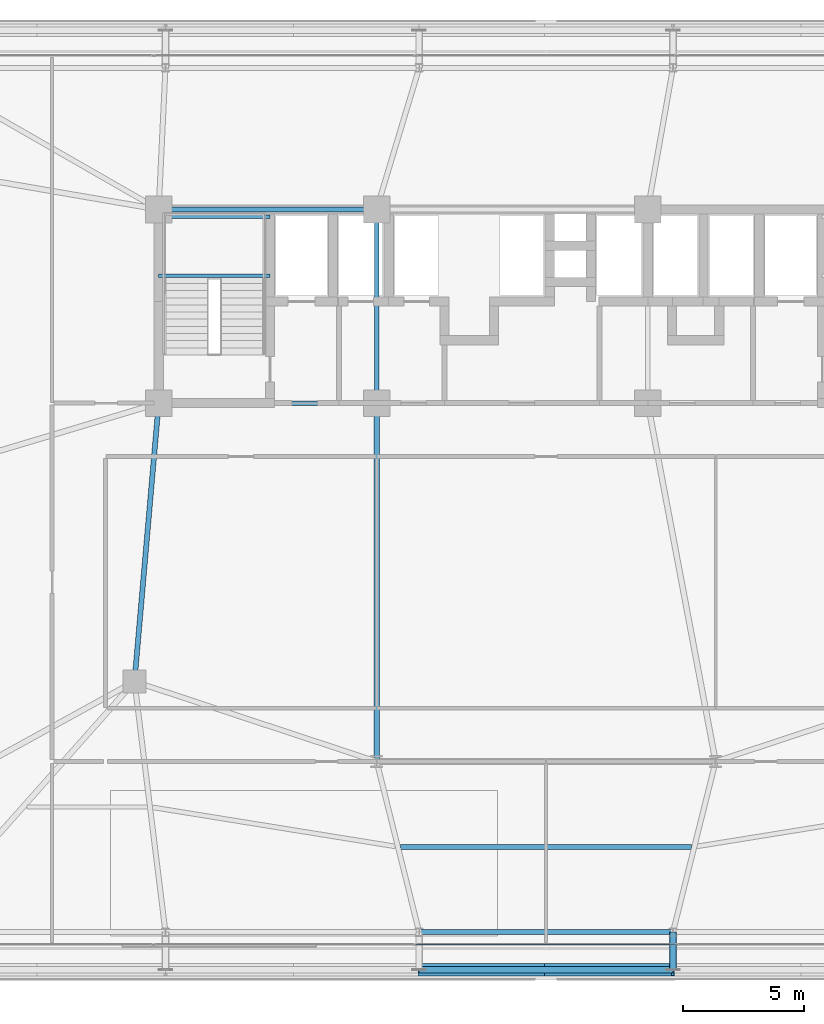
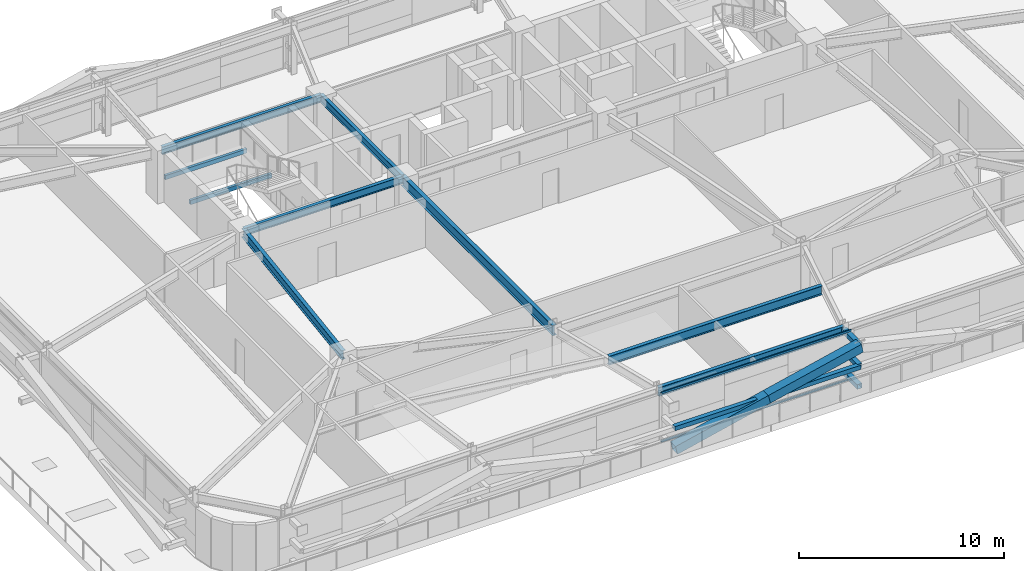
# One storey, part 18 of 56: 9 beams, 8 members, 1 element without a shape of its own.
"""IFC4 building model written with IfcOpenShell, lengths in metres."""

from ifc_helpers import new_model, si_unit, direction, frame, origin, origin_2d, place, context, subcontext, project, spatial, hollow_rectangle, i_section, extrude, source, transform, mapped, material, layer, layer_set, material_profile, profile_set, type_object, element, aggregate, save


model = new_model("IFC4")

# Units and contexts
model_context = context("Model", 3, precision=1e-05, world=origin(), true_north=direction((0.0, 1.0)))
body_context = subcontext(model_context, "Body", "Model", "MODEL_VIEW")
ifc_project = project(units=[si_unit("LENGTHUNIT", "METRE"), si_unit("AREAUNIT", "SQUARE_METRE"), si_unit("VOLUMEUNIT", "CUBIC_METRE"), si_unit("PLANEANGLEUNIT", "RADIAN"), si_unit("MASSUNIT", "GRAM", prefix="KILO")], contexts=[model_context])

# Site, building, storey
site_placement = place(None, origin())
site = spatial("IfcSite", under=ifc_project, at=site_placement, CompositionType="ELEMENT")
building_placement = place(site_placement, origin())
building = spatial("IfcBuilding", under=site, at=building_placement, Name="Taldren Reach Tower", CompositionType="ELEMENT")
storey_placement = place(building_placement, frame((0.0, 0.0, 16.800048828125)))
storey = spatial("IfcBuildingStorey", under=building, at=storey_placement, Name="L04", CompositionType="ELEMENT", Elevation=16.800048828125)

# Beams
ifc_material_1 = material(Name="Steel Gr 350 (350PLUS)", Category="steel")
ifc_material_profile_1 = material_profile(ifc_material_1, i_section(OverallWidth=0.19091796875, OverallDepth=0.4599609375, WebThickness=0.010009765625, FlangeThickness=0.01611328125, at=origin_2d()), Name="460UB82.1")
ifc_profile_set_1 = profile_set([ifc_material_profile_1], Name="Steel Gr 350 (350PLUS)")
beam_type_1 = type_object("IfcBeamType", Name="BM-UB460A", PredefinedType="BEAM", material=ifc_profile_set_1)
shared_shape_1 = source(origin(), body_context, "Body", "SweptSolid", [
    extrude(i_section(OverallWidth=0.19091796875, OverallDepth=0.4599609375, WebThickness=0.010009765625, FlangeThickness=0.01611328125, at=origin_2d()), origin(), (0.0, 0.0, 1.0), 9.0),
])
for number, where, z_axis, x_axis, name in (
    (1, (19.0, 24.0, 2.699951171875), (1.0, 0.0, 0.0), (0.0, 1.0, 0.0), "Core-spine girder L04-SP01"),
    (2, (19.0, 32.0, 2.699951171875), (1.0, 0.0, 0.0), (0.0, 1.0, 0.0), "Core-spine girder L04-SP04"),
):
    element("IfcBeam", number, at=place(storey_placement, frame(where, z_axis=z_axis, x_axis=x_axis)), inside=storey, type_object=beam_type_1, Name=name, PredefinedType="BEAM", context=body_context, shape_type="MappedRepresentation", body=[
        mapped(shared_shape_1, transform((0.0, 0.0, 0.0), scale=1.0)),
    ])
shared_shape_2 = source(origin(), body_context, "Body", "SweptSolid", [
    extrude(i_section(OverallWidth=0.19091796875, OverallDepth=0.4599609375, WebThickness=0.010009765625, FlangeThickness=0.01611328125, at=origin_2d()), origin(), (0.0, 0.0, 1.0), 8.0),
])
beam_1_placement = place(storey_placement, frame((28.0, 24.0, 2.699951171875), z_axis=(0.0, 1.0, 0.0), x_axis=(-1.0, 0.0, 0.0)))
element("IfcBeam", 3, at=beam_1_placement, inside=storey, type_object=beam_type_1, Name="Core-spine girder L04-SP07", PredefinedType="BEAM", context=body_context, shape_type="MappedRepresentation", body=[
    mapped(shared_shape_2, transform((0.0, 0.0, 0.0), scale=1.0)),
])
ifc_material_profile_2 = material_profile(ifc_material_1, i_section(OverallWidth=0.208984375, OverallDepth=0.532958984375, WebThickness=0.01025390625, FlangeThickness=0.015625, at=origin_2d()), Name="530UB92.4")
ifc_profile_set_2 = profile_set([ifc_material_profile_2], Name="Steel Gr 350 (350PLUS)")
beam_type_2 = type_object("IfcBeamType", Name="BM-UB530A", PredefinedType="BEAM", material=ifc_profile_set_2)
shared_shape_3 = source(origin(), body_context, "Body", "SweptSolid", [
    extrude(i_section(OverallWidth=0.208984375, OverallDepth=0.532958984375, WebThickness=0.01025390625, FlangeThickness=0.015625, at=origin_2d()), origin(), (0.0, 0.0, 1.0), 11.54345703125),
])
beam_2_placement = place(storey_placement, frame((19.0, 24.0, 2.663330078125), z_axis=(-0.086629616365, -0.996240588196, 0.0), x_axis=(0.996240588196, -0.086629616365, 0.0)))
element("IfcBeam", 4, at=beam_2_placement, inside=storey, type_object=beam_type_2, Name="Core-spine girder L04-SP09", PredefinedType="BEAM", context=body_context, shape_type="MappedRepresentation", body=[
    mapped(shared_shape_3, transform((0.0, 0.0, 0.0), scale=1.0)),
])
ifc_material_profile_3 = material_profile(ifc_material_1, i_section(OverallWidth=0.22802734375, OverallDepth=0.60205078125, WebThickness=0.010498046875, FlangeThickness=0.014892578125, at=origin_2d()), Name="610UB101")
ifc_profile_set_3 = profile_set([ifc_material_profile_3], Name="Steel Gr 350 (350PLUS)")
beam_type_3 = type_object("IfcBeamType", Name="BM-UB610B", PredefinedType="BEAM", material=ifc_profile_set_3)
shared_shape_4 = source(origin(), body_context, "Body", "SweptSolid", [
    extrude(i_section(OverallWidth=0.22802734375, OverallDepth=0.60205078125, WebThickness=0.010498046875, FlangeThickness=0.014892578125, at=origin_2d()), origin(), (0.0, 0.0, 1.0), 14.800048828125),
])
beam_3_placement = place(storey_placement, frame((28.0, 24.0, 2.62890625), z_axis=(0.0, -1.0, 0.0), x_axis=(1.0, 0.0, 0.0)))
element("IfcBeam", 5, at=beam_3_placement, inside=storey, type_object=beam_type_3, Name="Core-spine girder L04-SP14", PredefinedType="BEAM", context=body_context, shape_type="MappedRepresentation", body=[
    mapped(shared_shape_4, transform((0.0, 0.0, 0.0), scale=1.0)),
])
ifc_material_profile_4 = material_profile(ifc_material_1, i_section(OverallWidth=0.208984375, OverallDepth=0.528076171875, WebThickness=0.009521484375, FlangeThickness=0.01318359375, at=origin_2d()), Name="530UB82.0")
ifc_profile_set_4 = profile_set([ifc_material_profile_4], Name="Steel Gr 350 (350PLUS)")
beam_type_4 = type_object("IfcBeamType", Name="SP-UB530B", PredefinedType="SPANDREL", material=ifc_profile_set_4)
shared_shape_5 = source(origin(), body_context, "Body", "SweptSolid", [
    extrude(i_section(OverallWidth=0.208984375, OverallDepth=0.528076171875, WebThickness=0.009521484375, FlangeThickness=0.01318359375, at=origin_2d()), origin(), (0.0, 0.0, 1.0), 10.47998046875),
])
beam_4_placement = place(storey_placement, frame((29.760009765625, 2.14990234375, 2.666015625), z_axis=(1.0, 0.0, 0.0), x_axis=(0.0, 1.0, 0.0)))
element("IfcBeam", 6, at=beam_4_placement, inside=storey, type_object=beam_type_4, Name="Perimeter spandrel B1 S3-S4 L04", PredefinedType="SPANDREL", context=body_context, shape_type="MappedRepresentation", body=[
    mapped(shared_shape_5, transform((0.0, 0.0, 0.0), scale=1.0)),
])
shared_shape_6 = source(origin(), body_context, "Body", "SweptSolid", [
    extrude(i_section(OverallWidth=0.208984375, OverallDepth=0.532958984375, WebThickness=0.01025390625, FlangeThickness=0.015625, at=origin_2d()), origin(), (0.0, 0.0, 1.0), 12.0244140625),
])
beam_5_placement = place(storey_placement, frame((28.98779296875, 5.675048828125, 2.663330078125), z_axis=(1.0, 0.0, 0.0), x_axis=(0.0, 1.0, 0.0)))
element("IfcBeam", 7, at=beam_5_placement, inside=storey, type_object=beam_type_2, Name="Secondary floor beam B1 J3 L04", PredefinedType="BEAM", context=body_context, shape_type="MappedRepresentation", body=[
    mapped(shared_shape_6, transform((0.0, 0.0, 0.0), scale=1.0)),
])

# Members
ifc_material_2 = material(Name="Steel Gr 450 (C450L0)", Category="steel")
ifc_material_profile_5 = material_profile(ifc_material_2, hollow_rectangle(XDim=0.27490234375, YDim=0.27490234375, WallThickness=0.00927734375, at=origin_2d()), Name="275x275x9.3SHS")
ifc_profile_set_5 = profile_set([ifc_material_profile_5], Name="Steel Gr 450 (C450L0)")
member_type_1 = type_object("IfcMemberType", Name="MB-TIE273", PredefinedType="STRUT", material=ifc_profile_set_5)
shared_shape_7 = source(origin(), body_context, "Body", "SweptSolid", [
    extrude(hollow_rectangle(XDim=0.27490234375, YDim=0.27490234375, WallThickness=0.00927734375, at=origin_2d()), origin(), (0.0, 0.0, 1.0), 1.5498046875),
])
for number, where, z_axis, x_axis, name in (
    (8, (40.239990234375, 2.14990234375, 2.64990234375), (0.0, -1.0, 0.0), (1.0, 0.0, 0.0), "Exoskeleton diaphragm tie strut B1-S4 L04"),
    (9, (40.239990234375, 2.14990234375, 0.219970703125), (0.0, -1.0, 0.0), (1.0, 0.0, 0.0), "Exoskeleton base diaphragm tie strut B1-S4 L04"),
):
    element("IfcMember", number, at=place(storey_placement, frame(where, z_axis=z_axis, x_axis=x_axis)), inside=storey, type_object=member_type_1, Name=name, PredefinedType="STRUT", context=body_context, shape_type="MappedRepresentation", body=[
        mapped(shared_shape_7, transform((0.0, 0.0, 0.0), scale=1.0)),
    ])
ifc_material_profile_6 = material_profile(ifc_material_2, hollow_rectangle(XDim=0.510009765625, YDim=0.510009765625, WallThickness=0.02001953125, at=origin_2d()), Name="510x510x20.0SHS")
ifc_profile_set_6 = profile_set([ifc_material_profile_6], Name="Steel Gr 450 (C450L0)")
member_type_2 = type_object("IfcMemberType", Name="MB-EXO508", PredefinedType="BRACE", material=ifc_profile_set_6)
shared_shape_8 = source(origin(), body_context, "Body", "SweptSolid", [
    extrude(hollow_rectangle(XDim=0.510009765625, YDim=0.510009765625, WallThickness=0.02001953125, at=origin_2d()), origin(), (0.0, 0.0, 1.0), 5.37890625),
])
for number, where, z_axis, x_axis, name in (
    (10, (29.760009765625, 0.60009765625, 0.219970703125), (0.97415197996, 0.0, 0.225893603143), (0.0, 1.0, 0.0), "Exoskeleton Diagrid Brace B1-S3 L04"),
    (11, (35.0, 0.60009765625, 1.43505859375), (0.974161966843, 0.0, 0.225850531007), (0.0, 1.0, 0.0), "Exoskeleton Diagrid Brace B1-S3 L04"),
):
    element("IfcMember", number, at=place(storey_placement, frame(where, z_axis=z_axis, x_axis=x_axis)), inside=storey, type_object=member_type_2, Name=name, PredefinedType="BRACE", context=body_context, shape_type="MappedRepresentation", body=[
        mapped(shared_shape_8, transform((0.0, 0.0, 0.0), scale=1.0)),
    ])
ifc_material_3 = material(Name="Steel Gr 350 (C350L0)", Category="steel")
ifc_material_profile_7 = material_profile(ifc_material_3, hollow_rectangle(XDim=0.25, YDim=0.25, WallThickness=0.010009765625, at=origin_2d()), Name="250x250x10.0SHS")
ifc_profile_set_7 = profile_set([ifc_material_profile_7], Name="Steel Gr 350 (C350L0)")
member_type_3 = type_object("IfcMemberType", Name="MB-POST250", PredefinedType="POST", material=ifc_profile_set_7)
shared_shape_9 = source(origin(), body_context, "Body", "SweptSolid", [
    extrude(hollow_rectangle(XDim=0.25, YDim=0.25, WallThickness=0.010009765625, at=origin_2d()), origin(), (0.0, 0.0, 1.0), 10.47998046875),
])
member_1_placement = place(storey_placement, frame((29.760009765625, 0.60009765625, 1.43505859375), z_axis=(1.0, 0.0, 0.0), x_axis=(0.0, 1.0, 0.0)))
element("IfcMember", 12, at=member_1_placement, inside=storey, type_object=member_type_3, Name="Exoskeleton mid-height ring chord B1-S3 L04", PredefinedType="POST", context=body_context, shape_type="MappedRepresentation", body=[
    mapped(shared_shape_9, transform((0.0, 0.0, 0.0), scale=1.0)),
])
shared_shape_10 = source(origin(), body_context, "Body", "SweptSolid", [
    extrude(hollow_rectangle(XDim=0.25, YDim=0.25, WallThickness=0.010009765625, at=origin_2d()), origin(), (0.0, 0.0, 1.0), 1.5498046875),
])
member_2_placement = place(storey_placement, frame((40.239990234375, 2.14990234375, 1.43505859375), z_axis=(0.0, -1.0, 0.0), x_axis=(1.0, 0.0, 0.0)))
element("IfcMember", 13, at=member_2_placement, inside=storey, type_object=member_type_3, Name="Exoskeleton mid-tier diaphragm tie B1-S4 L04", PredefinedType="POST", context=body_context, shape_type="MappedRepresentation", body=[
    mapped(shared_shape_10, transform((0.0, 0.0, 0.0), scale=1.0)),
])

# Curtain wall, members
ifc_material_4 = material(Name="Aluminium and Low-E Glass Unitised System", Category="aluminium")
ifc_layer = layer(ifc_material_4, 0.159912109375)
ifc_layer_set = layer_set([ifc_layer], Name="Aluminium and Low-E Glass Unitised System")
curtain_wall_type = type_object("IfcCurtainWallType", Name="CW-SYS-2", PredefinedType="NOTDEFINED", material=ifc_layer_set)
curtain_wall_placement = place(storey_placement, origin())
curtain_wall = element("IfcCurtainWall", 14, at=curtain_wall_placement, inside=storey, type_object=curtain_wall_type, Name="Unitised curtain wall CW-L04-S", PredefinedType="NOTDEFINED")
ifc_material_5 = material(Name="Anodised Aluminium 6063-T6", Category="aluminium")
ifc_material_profile_8 = material_profile(ifc_material_5, hollow_rectangle(XDim=0.054931640625, YDim=0.1201171875, WallThickness=0.0029296875, at=origin_2d()), Name="ALU-120x55x3RHS")
ifc_profile_set_8 = profile_set([ifc_material_profile_8], Name="Anodised Aluminium 6063-T6")
member_type_4 = type_object("IfcMemberType", Name="CW-TRN-135", PredefinedType="USERDEFINED", material=ifc_profile_set_8)
shared_shape_11 = source(origin(), body_context, "Body", "SweptSolid", [
    extrude(hollow_rectangle(XDim=0.054931640625, YDim=0.1201171875, WallThickness=0.0029296875, at=origin_2d()), origin(), (0.0, 0.0, 1.0), 10.73486328125),
])
member_3_placement = place(storey_placement, frame((29.632568359375, 1.639892578125, 0.02734375), z_axis=(1.0, 0.0, 0.0), x_axis=(0.0, 1.0, 0.0)))
member_3 = element("IfcMember", 15, at=member_3_placement, type_object=member_type_4, Name="CW-2 transom 3.1", ObjectType="TRANSOM", PredefinedType="USERDEFINED", context=body_context, shape_type="MappedRepresentation", body=[
    mapped(shared_shape_11, transform((0.0, 0.0, 0.0), scale=1.0)),
])
member_4_placement = place(storey_placement, frame((29.632568359375, 1.639892578125, 2.90234375), z_axis=(1.0, 0.0, 0.0), x_axis=(0.0, 1.0, 0.0)))
member_4 = element("IfcMember", 16, at=member_4_placement, type_object=member_type_4, Name="CW-2 transom 3.2", ObjectType="TRANSOM", PredefinedType="USERDEFINED", context=body_context, shape_type="MappedRepresentation", body=[
    mapped(shared_shape_11, transform((0.0, 0.0, 0.0), scale=1.0)),
])
aggregate(curtain_wall, [member_3, member_4])

# Beams
ifc_material_profile_9 = material_profile(ifc_material_3, hollow_rectangle(XDim=0.14990234375, YDim=0.25, WallThickness=0.009033203125, at=origin_2d()), Name="250x150x9.0RHS")
ifc_profile_set_9 = profile_set([ifc_material_profile_9], Name="Steel Gr 350 (C350L0)")
beam_type_5 = type_object("IfcBeamType", Name="LN-RHS250", PredefinedType="LINTEL", material=ifc_profile_set_9)
shared_shape_12 = source(origin(), body_context, "Body", "SweptSolid", [
    extrude(hollow_rectangle(XDim=0.14990234375, YDim=0.25, WallThickness=0.009033203125, at=origin_2d()), origin(), (0.0, 0.0, 1.0), 4.60009765625),
])
for number, where, z_axis, x_axis, name in (
    (17, (19.0, 29.2548828125, 1.27001953125), (1.0, 0.0, 0.0), (0.0, 1.0, 0.0), "Stair half-landing support beam ST1-L04-1"),
    (18, (19.0, 31.699951171875, 1.27001953125), (1.0, 0.0, 0.0), (0.0, 1.0, 0.0), "Stair half-landing support beam ST1-L04-2"),
):
    element("IfcBeam", number, at=place(storey_placement, frame(where, z_axis=z_axis, x_axis=x_axis)), inside=storey, type_object=beam_type_5, Name=name, PredefinedType="LINTEL", context=body_context, shape_type="MappedRepresentation", body=[
        mapped(shared_shape_12, transform((0.0, 0.0, 0.0), scale=1.0)),
    ])

save(model, "model.ifc")
